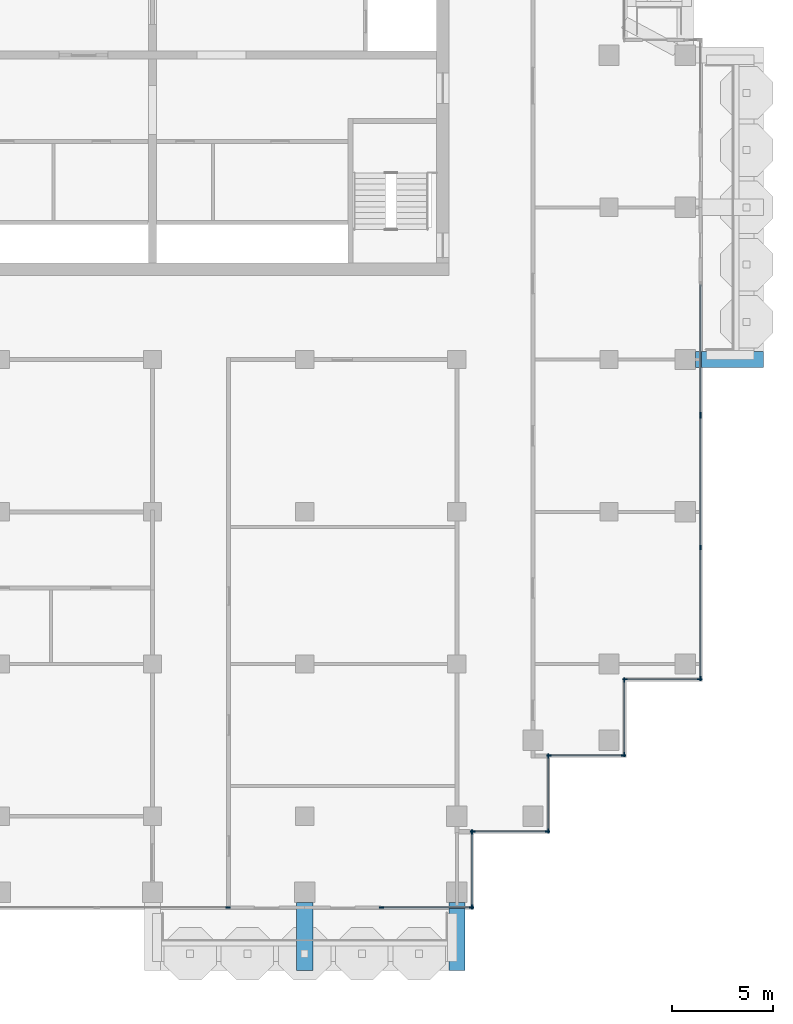
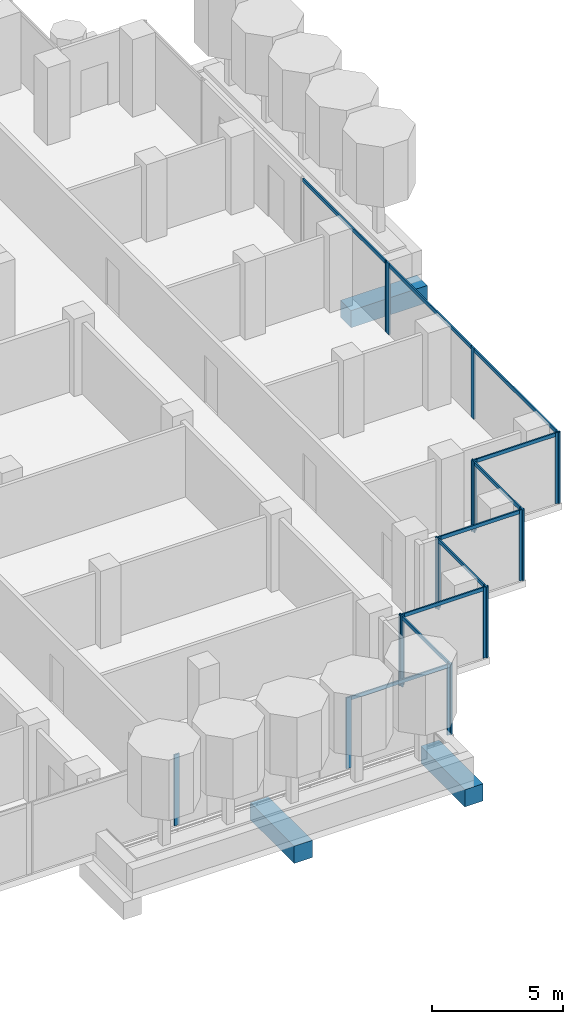
# One storey, part 4 of 18: 29 members, 3 beams, 10 elements without a shape of their own.
"""IFC4 building model written with IfcOpenShell, lengths in metres."""

from ifc_helpers import new_model, si_unit, direction, frame, origin, origin_2d, place, context, subcontext, project, spatial, rectangle, extrude, material, material_profile, profile_set, type_object, element, aggregate, save


model = new_model("IFC4")

# Units and contexts
model_context = context("Model", 3, precision=1e-05, world=origin(), true_north=direction((0.0, 1.0)))
body_context = subcontext(model_context, "Body", "Model", "MODEL_VIEW")
ifc_project = project(units=[si_unit("LENGTHUNIT", "METRE"), si_unit("AREAUNIT", "SQUARE_METRE"), si_unit("VOLUMEUNIT", "CUBIC_METRE"), si_unit("PLANEANGLEUNIT", "RADIAN"), si_unit("MASSUNIT", "GRAM", prefix="KILO")], contexts=[model_context])

# Site, building, storey
site_placement = place(None, origin())
site = spatial("IfcSite", under=ifc_project, at=site_placement, CompositionType="ELEMENT")
building_placement = place(site_placement, origin())
building = spatial("IfcBuilding", under=site, at=building_placement, Name="Pilkhan Gate Tower", CompositionType="ELEMENT")
storey_placement = place(building_placement, frame((0.0, 0.0, 203.10009765625)))
storey = spatial("IfcBuildingStorey", under=building, at=storey_placement, Name="L52", CompositionType="ELEMENT", Elevation=203.10009765625)

# Beams
ifc_material_1 = material(Name="Concrete C50/60", Category="concrete")
ifc_material_profile_1 = material_profile(ifc_material_1, rectangle(XDim=0.800048828125, YDim=0.800048828125, at=origin_2d()), Name="RC 800x800")
ifc_profile_set_1 = profile_set([ifc_material_profile_1], Name="Concrete C50/60")
beam_type = type_object("IfcBeamType", Name="Cantilever beam CB2 RC 800x800 C50/60", PredefinedType="BEAM", material=ifc_profile_set_1)
for number, where, z_axis, x_axis, name in (
    (1, (82.5, 40.75, -0.7001953125), (0.0, -1.0, 0.0), (1.0, 0.0, 0.0), "Balcony beam S.2 L52"),
    (2, (90.0, 40.75, -0.7001953125), (0.0, -1.0, 0.0), (1.0, 0.0, 0.0), "Balcony beam S.3 L52"),
    (3, (101.75, 67.5, -0.7001953125), (1.0, 0.0, 0.0), (0.0, 1.0, 0.0), "Balcony beam E.1 L52"),
):
    element("IfcBeam", number, at=place(storey_placement, frame(where, z_axis=z_axis, x_axis=x_axis)), inside=storey, type_object=beam_type, Name=name, PredefinedType="BEAM", context=body_context, shape_type="SweptSolid", body=[
        extrude(rectangle(XDim=0.800048828125, YDim=0.800048828125, at=origin_2d()), origin(), (0.0, 0.0, 1.0), 3.35009765625),
    ])

# Curtain wall, members
ifc_material_2 = material(Name="Pale anodised aluminium, clear low-iron double glazing", Category="aluminium")
curtain_wall_type = type_object("IfcCurtainWallType", Name="Office unitised curtain wall CW-O2", PredefinedType="USERDEFINED", material=ifc_material_2)
curtain_wall_1_placement = place(storey_placement, origin())
curtain_wall_1 = element("IfcCurtainWall", 4, at=curtain_wall_1_placement, inside=storey, type_object=curtain_wall_type, Name="Office unitised curtain wall CW-O2 L52 E", ObjectType="UNITISED CURTAIN WALL", PredefinedType="USERDEFINED")
ifc_material_3 = material(Name="Pale anodised aluminium", Category="aluminium")
ifc_material_profile_2 = material_profile(ifc_material_3, rectangle(XDim=0.06494140625, YDim=0.22509765625, at=origin_2d()), Name="Mullion 225x65")
ifc_profile_set_2 = profile_set([ifc_material_profile_2], Name="Pale anodised aluminium")
member_type_1 = type_object("IfcMemberType", Name="Mullion CW-O2 225x65", PredefinedType="MULLION", material=ifc_profile_set_2)
member_1_placement = place(storey_placement, frame((102.0, 51.782470703125, 0.0), z_axis=(0.0, 0.0, 1.0), x_axis=(-1.0, 0.0, 0.0)))
member_1 = element("IfcMember", 5, at=member_1_placement, type_object=member_type_1, Name="CW-O2 mullion 1", PredefinedType="MULLION", context=body_context, shape_type="SweptSolid", body=[
    extrude(rectangle(XDim=0.06494140625, YDim=0.22509765625, at=origin_2d()), origin(), (0.0, 0.0, 1.0), 3.2998046875),
])
member_2_placement = place(storey_placement, frame((102.0, 58.25, 0.0), z_axis=(0.0, 0.0, 1.0), x_axis=(-1.0, 0.0, 0.0)))
member_2 = element("IfcMember", 6, at=member_2_placement, type_object=member_type_1, Name="CW-O2 mullion 2", PredefinedType="MULLION", context=body_context, shape_type="SweptSolid", body=[
    extrude(rectangle(XDim=0.06494140625, YDim=0.22509765625, at=origin_2d()), origin(), (0.0, 0.0, 1.0), 3.2998046875),
])
member_3_placement = place(storey_placement, frame((102.0, 64.717529296875, 0.0), z_axis=(0.0, 0.0, 1.0), x_axis=(-1.0, 0.0, 0.0)))
member_3 = element("IfcMember", 7, at=member_3_placement, type_object=member_type_1, Name="CW-O2 mullion 3", PredefinedType="MULLION", context=body_context, shape_type="SweptSolid", body=[
    extrude(rectangle(XDim=0.06494140625, YDim=0.22509765625, at=origin_2d()), origin(), (0.0, 0.0, 1.0), 3.2998046875),
])

# Curtain wall, member
curtain_wall_2_placement = place(storey_placement, origin())
curtain_wall_2 = element("IfcCurtainWall", 8, at=curtain_wall_2_placement, inside=storey, type_object=curtain_wall_type, Name="Office unitised curtain wall CW-O2 L52 E", ObjectType="UNITISED CURTAIN WALL", PredefinedType="USERDEFINED")
member_4_placement = place(storey_placement, frame((102.0, 64.782470703125, 0.0), z_axis=(0.0, 0.0, 1.0), x_axis=(-1.0, 0.0, 0.0)))
member_4 = element("IfcMember", 9, at=member_4_placement, type_object=member_type_1, Name="CW-O2 mullion 1", PredefinedType="MULLION", context=body_context, shape_type="SweptSolid", body=[
    extrude(rectangle(XDim=0.06494140625, YDim=0.22509765625, at=origin_2d()), origin(), (0.0, 0.0, 1.0), 3.2998046875),
])

curtain_wall_3_placement = place(storey_placement, origin())
curtain_wall_3 = element("IfcCurtainWall", 10, at=curtain_wall_3_placement, inside=storey, type_object=curtain_wall_type, Name="Office unitised curtain wall CW-O2 L52 S", ObjectType="UNITISED CURTAIN WALL", PredefinedType="USERDEFINED")
member_5_placement = place(storey_placement, frame((78.717529296875, 40.5, 0.0), z_axis=(0.0, 0.0, 1.0), x_axis=(0.0, 1.0, 0.0)))
member_5 = element("IfcMember", 11, at=member_5_placement, type_object=member_type_1, Name="CW-O2 mullion 2", PredefinedType="MULLION", context=body_context, shape_type="SweptSolid", body=[
    extrude(rectangle(XDim=0.06494140625, YDim=0.22509765625, at=origin_2d()), origin(), (0.0, 0.0, 1.0), 3.2998046875),
])
aggregate(curtain_wall_3, [member_5])

# Curtain wall, members
curtain_wall_4_placement = place(storey_placement, origin())
curtain_wall_4 = element("IfcCurtainWall", 12, at=curtain_wall_4_placement, inside=storey, type_object=curtain_wall_type, Name="Office unitised curtain wall CW-O2 L52 S", ObjectType="UNITISED CURTAIN WALL", PredefinedType="USERDEFINED")
member_6_placement = place(storey_placement, frame((86.282470703125, 40.5, 0.0), z_axis=(0.0, 0.0, 1.0), x_axis=(0.0, 1.0, 0.0)))
member_6 = element("IfcMember", 13, at=member_6_placement, type_object=member_type_1, Name="CW-O2 mullion 1", PredefinedType="MULLION", context=body_context, shape_type="SweptSolid", body=[
    extrude(rectangle(XDim=0.06494140625, YDim=0.22509765625, at=origin_2d()), origin(), (0.0, 0.0, 1.0), 3.2998046875),
])
member_7_placement = place(storey_placement, frame((90.717529296875, 40.5, 0.0), z_axis=(0.0, 0.0, 1.0), x_axis=(0.0, 1.0, 0.0)))
member_7 = element("IfcMember", 14, at=member_7_placement, type_object=member_type_1, Name="CW-O2 mullion 2", PredefinedType="MULLION", context=body_context, shape_type="SweptSolid", body=[
    extrude(rectangle(XDim=0.06494140625, YDim=0.22509765625, at=origin_2d()), origin(), (0.0, 0.0, 1.0), 3.2998046875),
])

curtain_wall_5_placement = place(storey_placement, origin())
curtain_wall_5 = element("IfcCurtainWall", 15, at=curtain_wall_5_placement, inside=storey, type_object=curtain_wall_type, Name="Office unitised curtain wall CW-O2 L52 E", ObjectType="UNITISED CURTAIN WALL", PredefinedType="USERDEFINED")
member_8_placement = place(storey_placement, frame((90.75, 40.532470703125, 0.0), z_axis=(0.0, 0.0, 1.0), x_axis=(-1.0, 0.0, 0.0)))
member_8 = element("IfcMember", 16, at=member_8_placement, type_object=member_type_1, Name="CW-O2 mullion 1", PredefinedType="MULLION", context=body_context, shape_type="SweptSolid", body=[
    extrude(rectangle(XDim=0.06494140625, YDim=0.22509765625, at=origin_2d()), origin(), (0.0, 0.0, 1.0), 3.2998046875),
])
member_9_placement = place(storey_placement, frame((90.75, 44.217529296875, 0.0), z_axis=(0.0, 0.0, 1.0), x_axis=(-1.0, 0.0, 0.0)))
member_9 = element("IfcMember", 17, at=member_9_placement, type_object=member_type_1, Name="CW-O2 mullion 2", PredefinedType="MULLION", context=body_context, shape_type="SweptSolid", body=[
    extrude(rectangle(XDim=0.06494140625, YDim=0.22509765625, at=origin_2d()), origin(), (0.0, 0.0, 1.0), 3.2998046875),
])

curtain_wall_6_placement = place(storey_placement, origin())
curtain_wall_6 = element("IfcCurtainWall", 18, at=curtain_wall_6_placement, inside=storey, type_object=curtain_wall_type, Name="Office unitised curtain wall CW-O2 L52 S", ObjectType="UNITISED CURTAIN WALL", PredefinedType="USERDEFINED")
member_10_placement = place(storey_placement, frame((90.782470703125, 44.25, 0.0), z_axis=(0.0, 0.0, 1.0), x_axis=(0.0, 1.0, 0.0)))
member_10 = element("IfcMember", 19, at=member_10_placement, type_object=member_type_1, Name="CW-O2 mullion 1", PredefinedType="MULLION", context=body_context, shape_type="SweptSolid", body=[
    extrude(rectangle(XDim=0.06494140625, YDim=0.22509765625, at=origin_2d()), origin(), (0.0, 0.0, 1.0), 3.2998046875),
])
member_11_placement = place(storey_placement, frame((94.467529296875, 44.25, 0.0), z_axis=(0.0, 0.0, 1.0), x_axis=(0.0, 1.0, 0.0)))
member_11 = element("IfcMember", 20, at=member_11_placement, type_object=member_type_1, Name="CW-O2 mullion 2", PredefinedType="MULLION", context=body_context, shape_type="SweptSolid", body=[
    extrude(rectangle(XDim=0.06494140625, YDim=0.22509765625, at=origin_2d()), origin(), (0.0, 0.0, 1.0), 3.2998046875),
])

curtain_wall_7_placement = place(storey_placement, origin())
curtain_wall_7 = element("IfcCurtainWall", 21, at=curtain_wall_7_placement, inside=storey, type_object=curtain_wall_type, Name="Office unitised curtain wall CW-O2 L52 E", ObjectType="UNITISED CURTAIN WALL", PredefinedType="USERDEFINED")
member_12_placement = place(storey_placement, frame((94.5, 44.282470703125, 0.0), z_axis=(0.0, 0.0, 1.0), x_axis=(-1.0, 0.0, 0.0)))
member_12 = element("IfcMember", 22, at=member_12_placement, type_object=member_type_1, Name="CW-O2 mullion 1", PredefinedType="MULLION", context=body_context, shape_type="SweptSolid", body=[
    extrude(rectangle(XDim=0.06494140625, YDim=0.22509765625, at=origin_2d()), origin(), (0.0, 0.0, 1.0), 3.2998046875),
])
member_13_placement = place(storey_placement, frame((94.5, 47.967529296875, 0.0), z_axis=(0.0, 0.0, 1.0), x_axis=(-1.0, 0.0, 0.0)))
member_13 = element("IfcMember", 23, at=member_13_placement, type_object=member_type_1, Name="CW-O2 mullion 2", PredefinedType="MULLION", context=body_context, shape_type="SweptSolid", body=[
    extrude(rectangle(XDim=0.06494140625, YDim=0.22509765625, at=origin_2d()), origin(), (0.0, 0.0, 1.0), 3.2998046875),
])

curtain_wall_8_placement = place(storey_placement, origin())
curtain_wall_8 = element("IfcCurtainWall", 24, at=curtain_wall_8_placement, inside=storey, type_object=curtain_wall_type, Name="Office unitised curtain wall CW-O2 L52 S", ObjectType="UNITISED CURTAIN WALL", PredefinedType="USERDEFINED")
member_14_placement = place(storey_placement, frame((94.532470703125, 48.0, 0.0), z_axis=(0.0, 0.0, 1.0), x_axis=(0.0, 1.0, 0.0)))
member_14 = element("IfcMember", 25, at=member_14_placement, type_object=member_type_1, Name="CW-O2 mullion 1", PredefinedType="MULLION", context=body_context, shape_type="SweptSolid", body=[
    extrude(rectangle(XDim=0.06494140625, YDim=0.22509765625, at=origin_2d()), origin(), (0.0, 0.0, 1.0), 3.2998046875),
])
member_15_placement = place(storey_placement, frame((98.217529296875, 48.0, 0.0), z_axis=(0.0, 0.0, 1.0), x_axis=(0.0, 1.0, 0.0)))
member_15 = element("IfcMember", 26, at=member_15_placement, type_object=member_type_1, Name="CW-O2 mullion 2", PredefinedType="MULLION", context=body_context, shape_type="SweptSolid", body=[
    extrude(rectangle(XDim=0.06494140625, YDim=0.22509765625, at=origin_2d()), origin(), (0.0, 0.0, 1.0), 3.2998046875),
])

curtain_wall_9_placement = place(storey_placement, origin())
curtain_wall_9 = element("IfcCurtainWall", 27, at=curtain_wall_9_placement, inside=storey, type_object=curtain_wall_type, Name="Office unitised curtain wall CW-O2 L52 E", ObjectType="UNITISED CURTAIN WALL", PredefinedType="USERDEFINED")
member_16_placement = place(storey_placement, frame((98.25, 48.032470703125, 0.0), z_axis=(0.0, 0.0, 1.0), x_axis=(-1.0, 0.0, 0.0)))
member_16 = element("IfcMember", 28, at=member_16_placement, type_object=member_type_1, Name="CW-O2 mullion 1", PredefinedType="MULLION", context=body_context, shape_type="SweptSolid", body=[
    extrude(rectangle(XDim=0.06494140625, YDim=0.22509765625, at=origin_2d()), origin(), (0.0, 0.0, 1.0), 3.2998046875),
])
member_17_placement = place(storey_placement, frame((98.25, 51.717529296875, 0.0), z_axis=(0.0, 0.0, 1.0), x_axis=(-1.0, 0.0, 0.0)))
member_17 = element("IfcMember", 29, at=member_17_placement, type_object=member_type_1, Name="CW-O2 mullion 2", PredefinedType="MULLION", context=body_context, shape_type="SweptSolid", body=[
    extrude(rectangle(XDim=0.06494140625, YDim=0.22509765625, at=origin_2d()), origin(), (0.0, 0.0, 1.0), 3.2998046875),
])

curtain_wall_10_placement = place(storey_placement, origin())
curtain_wall_10 = element("IfcCurtainWall", 30, at=curtain_wall_10_placement, inside=storey, type_object=curtain_wall_type, Name="Office unitised curtain wall CW-O2 L52 S", ObjectType="UNITISED CURTAIN WALL", PredefinedType="USERDEFINED")
member_18_placement = place(storey_placement, frame((98.282470703125, 51.75, 0.0), z_axis=(0.0, 0.0, 1.0), x_axis=(0.0, 1.0, 0.0)))
member_18 = element("IfcMember", 31, at=member_18_placement, type_object=member_type_1, Name="CW-O2 mullion 1", PredefinedType="MULLION", context=body_context, shape_type="SweptSolid", body=[
    extrude(rectangle(XDim=0.06494140625, YDim=0.22509765625, at=origin_2d()), origin(), (0.0, 0.0, 1.0), 3.2998046875),
])
member_19_placement = place(storey_placement, frame((101.967529296875, 51.75, 0.0), z_axis=(0.0, 0.0, 1.0), x_axis=(0.0, 1.0, 0.0)))
member_19 = element("IfcMember", 32, at=member_19_placement, type_object=member_type_1, Name="CW-O2 mullion 2", PredefinedType="MULLION", context=body_context, shape_type="SweptSolid", body=[
    extrude(rectangle(XDim=0.06494140625, YDim=0.22509765625, at=origin_2d()), origin(), (0.0, 0.0, 1.0), 3.2998046875),
])

# Member
ifc_material_profile_3 = material_profile(ifc_material_3, rectangle(XDim=0.06494140625, YDim=0.1650390625, at=origin_2d()), Name="Transom 165x65")
ifc_profile_set_3 = profile_set([ifc_material_profile_3], Name="Pale anodised aluminium")
member_type_2 = type_object("IfcMemberType", Name="Transom CW-O2 165x65", PredefinedType="USERDEFINED", material=ifc_profile_set_3)
member_20_placement = place(storey_placement, frame((102.0, 51.81494140625, 3.21728515625), z_axis=(0.0, 1.0, 0.0), x_axis=(-1.0, 0.0, 0.0)))
member_20 = element("IfcMember", 33, at=member_20_placement, type_object=member_type_2, Name="CW-O2 transom 1", ObjectType="TRANSOM", PredefinedType="USERDEFINED", context=body_context, shape_type="SweptSolid", body=[
    extrude(rectangle(XDim=0.06494140625, YDim=0.1650390625, at=origin_2d()), origin(), (0.0, 0.0, 1.0), 6.402587890625),
])

member_21_placement = place(storey_placement, frame((102.0, 58.282470703125, 3.21728515625), z_axis=(0.0, 1.0, 0.0), x_axis=(-1.0, 0.0, 0.0)))
member_21 = element("IfcMember", 34, at=member_21_placement, type_object=member_type_2, Name="CW-O2 transom 2", ObjectType="TRANSOM", PredefinedType="USERDEFINED", context=body_context, shape_type="SweptSolid", body=[
    extrude(rectangle(XDim=0.06494140625, YDim=0.1650390625, at=origin_2d()), origin(), (0.0, 0.0, 1.0), 6.402587890625),
])

aggregate(curtain_wall_1, [member_1, member_2, member_3, member_20, member_21])

member_22_placement = place(storey_placement, frame((102.0, 64.81494140625, 3.21728515625), z_axis=(0.0, 1.0, 0.0), x_axis=(-1.0, 0.0, 0.0)))
member_22 = element("IfcMember", 35, at=member_22_placement, type_object=member_type_2, Name="CW-O2 transom 1", ObjectType="TRANSOM", PredefinedType="USERDEFINED", context=body_context, shape_type="SweptSolid", body=[
    extrude(rectangle(XDim=0.06494140625, YDim=0.1650390625, at=origin_2d()), origin(), (0.0, 0.0, 1.0), 6.3701171875),
])

aggregate(curtain_wall_2, [member_4, member_22])

member_23_placement = place(storey_placement, frame((86.31494140625, 40.5, 3.21728515625), z_axis=(1.0, 0.0, 0.0), x_axis=(0.0, 1.0, 0.0)))
member_23 = element("IfcMember", 36, at=member_23_placement, type_object=member_type_2, Name="CW-O2 transom 1", ObjectType="TRANSOM", PredefinedType="USERDEFINED", context=body_context, shape_type="SweptSolid", body=[
    extrude(rectangle(XDim=0.06494140625, YDim=0.1650390625, at=origin_2d()), origin(), (0.0, 0.0, 1.0), 4.3701171875),
])

aggregate(curtain_wall_4, [member_6, member_7, member_23])

member_24_placement = place(storey_placement, frame((90.75, 40.56494140625, 3.21728515625), z_axis=(0.0, 1.0, 0.0), x_axis=(-1.0, 0.0, 0.0)))
member_24 = element("IfcMember", 37, at=member_24_placement, type_object=member_type_2, Name="CW-O2 transom 1", ObjectType="TRANSOM", PredefinedType="USERDEFINED", context=body_context, shape_type="SweptSolid", body=[
    extrude(rectangle(XDim=0.06494140625, YDim=0.1650390625, at=origin_2d()), origin(), (0.0, 0.0, 1.0), 3.6201171875),
])

aggregate(curtain_wall_5, [member_8, member_9, member_24])

member_25_placement = place(storey_placement, frame((90.81494140625, 44.25, 3.21728515625), z_axis=(1.0, 0.0, 0.0), x_axis=(0.0, 1.0, 0.0)))
member_25 = element("IfcMember", 38, at=member_25_placement, type_object=member_type_2, Name="CW-O2 transom 1", ObjectType="TRANSOM", PredefinedType="USERDEFINED", context=body_context, shape_type="SweptSolid", body=[
    extrude(rectangle(XDim=0.06494140625, YDim=0.1650390625, at=origin_2d()), origin(), (0.0, 0.0, 1.0), 3.6201171875),
])

aggregate(curtain_wall_6, [member_10, member_11, member_25])

member_26_placement = place(storey_placement, frame((94.5, 44.31494140625, 3.21728515625), z_axis=(0.0, 1.0, 0.0), x_axis=(-1.0, 0.0, 0.0)))
member_26 = element("IfcMember", 39, at=member_26_placement, type_object=member_type_2, Name="CW-O2 transom 1", ObjectType="TRANSOM", PredefinedType="USERDEFINED", context=body_context, shape_type="SweptSolid", body=[
    extrude(rectangle(XDim=0.06494140625, YDim=0.1650390625, at=origin_2d()), origin(), (0.0, 0.0, 1.0), 3.6201171875),
])

aggregate(curtain_wall_7, [member_12, member_13, member_26])

member_27_placement = place(storey_placement, frame((94.56494140625, 48.0, 3.21728515625), z_axis=(1.0, 0.0, 0.0), x_axis=(0.0, 1.0, 0.0)))
member_27 = element("IfcMember", 40, at=member_27_placement, type_object=member_type_2, Name="CW-O2 transom 1", ObjectType="TRANSOM", PredefinedType="USERDEFINED", context=body_context, shape_type="SweptSolid", body=[
    extrude(rectangle(XDim=0.06494140625, YDim=0.1650390625, at=origin_2d()), origin(), (0.0, 0.0, 1.0), 3.6201171875),
])

aggregate(curtain_wall_8, [member_14, member_15, member_27])

member_28_placement = place(storey_placement, frame((98.25, 48.06494140625, 3.21728515625), z_axis=(0.0, 1.0, 0.0), x_axis=(-1.0, 0.0, 0.0)))
member_28 = element("IfcMember", 41, at=member_28_placement, type_object=member_type_2, Name="CW-O2 transom 1", ObjectType="TRANSOM", PredefinedType="USERDEFINED", context=body_context, shape_type="SweptSolid", body=[
    extrude(rectangle(XDim=0.06494140625, YDim=0.1650390625, at=origin_2d()), origin(), (0.0, 0.0, 1.0), 3.6201171875),
])

aggregate(curtain_wall_9, [member_16, member_17, member_28])

member_29_placement = place(storey_placement, frame((98.31494140625, 51.75, 3.21728515625), z_axis=(1.0, 0.0, 0.0), x_axis=(0.0, 1.0, 0.0)))
member_29 = element("IfcMember", 42, at=member_29_placement, type_object=member_type_2, Name="CW-O2 transom 1", ObjectType="TRANSOM", PredefinedType="USERDEFINED", context=body_context, shape_type="SweptSolid", body=[
    extrude(rectangle(XDim=0.06494140625, YDim=0.1650390625, at=origin_2d()), origin(), (0.0, 0.0, 1.0), 3.6201171875),
])

aggregate(curtain_wall_10, [member_18, member_19, member_29])

save(model, "model.ifc")
